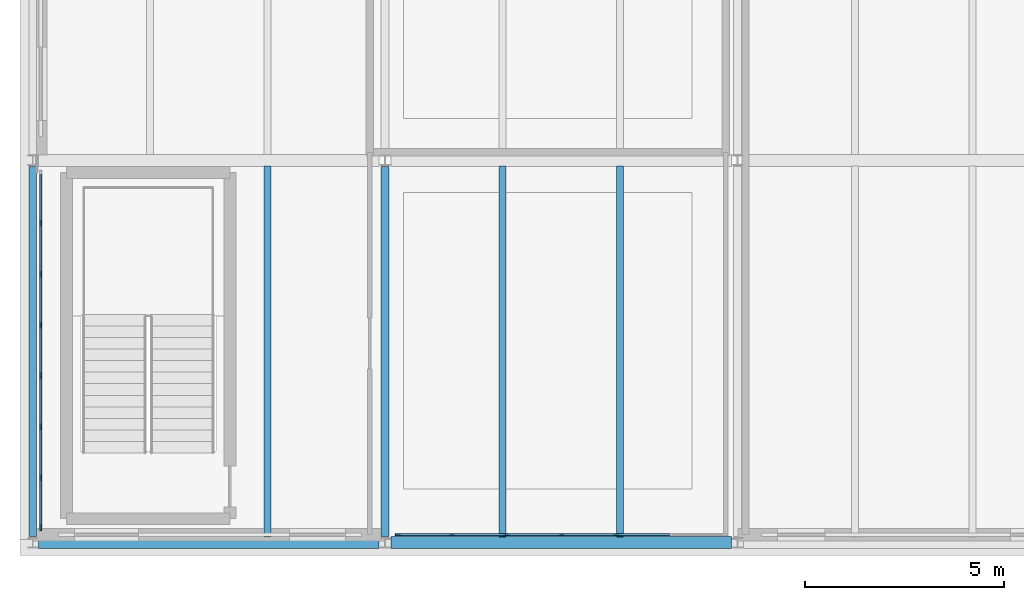
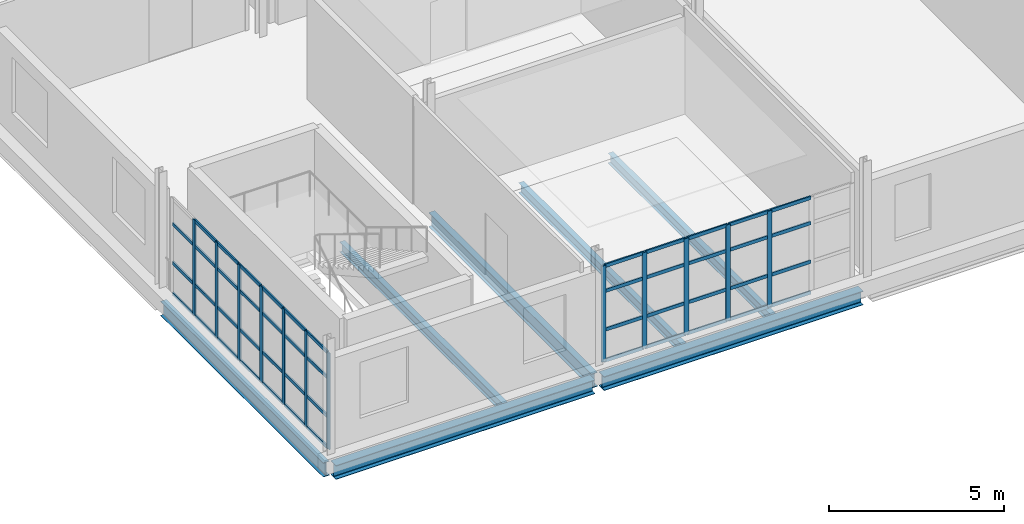
# One storey, part 5 of 28: 59 members, 7 beams, 2 elements without a shape of their own.
"""IFC4 building model written with IfcOpenShell, lengths in metres."""

from ifc_helpers import new_model, si_unit, direction, frame, origin, origin_2d, place, context, subcontext, project, spatial, rectangle, i_section, extrude, material, layer, layer_set, material_profile, profile_set, type_object, element, aggregate, save


model = new_model("IFC4")

# Units and contexts
model_context = context("Model", 3, precision=1e-05, world=origin(), true_north=direction((0.0, 1.0)))
body_context = subcontext(model_context, "Body", "Model", "MODEL_VIEW")
ifc_project = project(units=[si_unit("LENGTHUNIT", "METRE"), si_unit("AREAUNIT", "SQUARE_METRE"), si_unit("VOLUMEUNIT", "CUBIC_METRE"), si_unit("PLANEANGLEUNIT", "RADIAN"), si_unit("MASSUNIT", "GRAM", prefix="KILO")], contexts=[model_context])

# Site, building, storey
site_placement = place(None, origin())
site = spatial("IfcSite", under=ifc_project, at=site_placement, CompositionType="ELEMENT")
building_placement = place(site_placement, origin())
building = spatial("IfcBuilding", under=site, at=building_placement, Name="Yeouljin Market Hall", CompositionType="ELEMENT")
storey_placement = place(building_placement, frame((0.0, 0.0, 15.0)))
storey = spatial("IfcBuildingStorey", under=building, at=storey_placement, Name="L03", CompositionType="ELEMENT", Elevation=15.0)

# Beams
ifc_material_1 = material(Name="Steel SM355", Category="steel")
ifc_material_profile_1 = material_profile(ifc_material_1, i_section(OverallWidth=0.199951171875, OverallDepth=0.5, WebThickness=0.010009765625, FlangeThickness=0.01611328125, FilletRadius=0.02001953125, at=origin_2d()), Name="H-500x200x10x16")
ifc_profile_set_1 = profile_set([ifc_material_profile_1], Name="Steel SM355")
beam_type_1 = type_object("IfcBeamType", Name="Beam_H-500x200x10x16", PredefinedType="BEAM", material=ifc_profile_set_1)
for number, where, z_axis, x_axis, name in (
    (1, (0.0, 0.14990234375, -0.514892578125), (0.0, 1.0, 0.0), (-1.0, 0.0, 0.0), "Primary beam BM-L03-Y046"),
    (2, (8.85009765625, 0.14990234375, -0.514892578125), (0.0, 1.0, 0.0), (-1.0, 0.0, 0.0), "Primary beam BM-L03-Y050"),
):
    element("IfcBeam", number, at=place(storey_placement, frame(where, z_axis=z_axis, x_axis=x_axis)), inside=storey, type_object=beam_type_1, Name=name, PredefinedType="BEAM", context=body_context, shape_type="SweptSolid", body=[
        extrude(i_section(OverallWidth=0.199951171875, OverallDepth=0.5, WebThickness=0.010009765625, FlangeThickness=0.01611328125, FilletRadius=0.02001953125, at=origin_2d()), origin(), (0.0, 0.0, 1.0), 9.300048828125),
    ])

# Curtain wall, members
ifc_material_2 = material(Name="Thermally Broken Aluminium", Category="aluminium")
ifc_layer = layer(ifc_material_2, 0.14990234375)
ifc_layer_set = layer_set([ifc_layer], Name="Thermally Broken Aluminium")
curtain_wall_type = type_object("IfcCurtainWallType", Name="CW_AcademyRibbon_System", PredefinedType="USERDEFINED", material=ifc_layer_set)
curtain_wall_1_placement = place(storey_placement, origin())
curtain_wall_1 = element("IfcCurtainWall", 3, at=curtain_wall_1_placement, inside=storey, type_object=curtain_wall_type, Name="Curtain wall CW-L03-W02", ObjectType="CURTAIN WALL", PredefinedType="USERDEFINED")
ifc_material_3 = material(Name="Thermally Broken Aluminium", Category="aluminium")
ifc_material_profile_2 = material_profile(ifc_material_3, rectangle(XDim=0.048095703125, YDim=0.14990234375, at=origin_2d()), Name="CW-MULL-48x150")
ifc_profile_set_2 = profile_set([ifc_material_profile_2], Name="Thermally Broken Aluminium")
member_type_1 = type_object("IfcMemberType", Name="CWMullion_48x150", PredefinedType="MULLION", material=ifc_profile_set_2)
member_1_placement = place(storey_placement, frame((14.64990234375, 0.199951171875, 0.0), z_axis=(0.0, 0.0, 1.0), x_axis=(0.0, -1.0, 0.0)))
member_1 = element("IfcMember", 4, at=member_1_placement, type_object=member_type_1, Name="CW-05 mullion 3", PredefinedType="MULLION", context=body_context, shape_type="SweptSolid", body=[
    extrude(rectangle(XDim=0.048095703125, YDim=0.14990234375, at=origin_2d()), origin(), (0.0, 0.0, 1.0), 3.35009765625),
])
member_2_placement = place(storey_placement, frame((13.27490234375, 0.199951171875, 0.0), z_axis=(0.0, 0.0, 1.0), x_axis=(0.0, -1.0, 0.0)))
member_2 = element("IfcMember", 5, at=member_2_placement, type_object=member_type_1, Name="CW-05 mullion 4", PredefinedType="MULLION", context=body_context, shape_type="SweptSolid", body=[
    extrude(rectangle(XDim=0.048095703125, YDim=0.14990234375, at=origin_2d()), origin(), (0.0, 0.0, 1.0), 3.35009765625),
])
member_3_placement = place(storey_placement, frame((11.89990234375, 0.199951171875, 0.0), z_axis=(0.0, 0.0, 1.0), x_axis=(0.0, -1.0, 0.0)))
member_3 = element("IfcMember", 6, at=member_3_placement, type_object=member_type_1, Name="CW-05 mullion 5", PredefinedType="MULLION", context=body_context, shape_type="SweptSolid", body=[
    extrude(rectangle(XDim=0.048095703125, YDim=0.14990234375, at=origin_2d()), origin(), (0.0, 0.0, 1.0), 3.35009765625),
])
member_4_placement = place(storey_placement, frame((10.52490234375, 0.199951171875, 0.0), z_axis=(0.0, 0.0, 1.0), x_axis=(0.0, -1.0, 0.0)))
member_4 = element("IfcMember", 7, at=member_4_placement, type_object=member_type_1, Name="CW-05 mullion 6", PredefinedType="MULLION", context=body_context, shape_type="SweptSolid", body=[
    extrude(rectangle(XDim=0.048095703125, YDim=0.14990234375, at=origin_2d()), origin(), (0.0, 0.0, 1.0), 3.35009765625),
])
member_5_placement = place(storey_placement, frame((9.174072265625, 0.199951171875, 0.0), z_axis=(0.0, 0.0, 1.0), x_axis=(0.0, -1.0, 0.0)))
member_5 = element("IfcMember", 8, at=member_5_placement, type_object=member_type_1, Name="CW-05 mullion 7", PredefinedType="MULLION", context=body_context, shape_type="SweptSolid", body=[
    extrude(rectangle(XDim=0.048095703125, YDim=0.14990234375, at=origin_2d()), origin(), (0.0, 0.0, 1.0), 3.35009765625),
])

curtain_wall_2_placement = place(storey_placement, origin())
curtain_wall_2 = element("IfcCurtainWall", 9, at=curtain_wall_2_placement, inside=storey, type_object=curtain_wall_type, Name="Curtain wall CW-L03-W04", ObjectType="CURTAIN WALL", PredefinedType="USERDEFINED")
member_6_placement = place(storey_placement, frame((0.199951171875, 0.3740234375, 0.0), z_axis=(0.0, 0.0, 1.0), x_axis=(-1.0, 0.0, 0.0)))
member_6 = element("IfcMember", 10, at=member_6_placement, type_object=member_type_1, Name="CW-05 mullion 1", PredefinedType="MULLION", context=body_context, shape_type="SweptSolid", body=[
    extrude(rectangle(XDim=0.048095703125, YDim=0.14990234375, at=origin_2d()), origin(), (0.0, 0.0, 1.0), 3.35009765625),
])
member_7_placement = place(storey_placement, frame((0.199951171875, 1.628662109375, 0.0), z_axis=(0.0, 0.0, 1.0), x_axis=(-1.0, 0.0, 0.0)))
member_7 = element("IfcMember", 11, at=member_7_placement, type_object=member_type_1, Name="CW-05 mullion 2", PredefinedType="MULLION", context=body_context, shape_type="SweptSolid", body=[
    extrude(rectangle(XDim=0.048095703125, YDim=0.14990234375, at=origin_2d()), origin(), (0.0, 0.0, 1.0), 3.35009765625),
])
member_8_placement = place(storey_placement, frame((0.199951171875, 2.9072265625, 0.0), z_axis=(0.0, 0.0, 1.0), x_axis=(-1.0, 0.0, 0.0)))
member_8 = element("IfcMember", 12, at=member_8_placement, type_object=member_type_1, Name="CW-05 mullion 3", PredefinedType="MULLION", context=body_context, shape_type="SweptSolid", body=[
    extrude(rectangle(XDim=0.048095703125, YDim=0.14990234375, at=origin_2d()), origin(), (0.0, 0.0, 1.0), 3.35009765625),
])
member_9_placement = place(storey_placement, frame((0.199951171875, 4.185791015625, 0.0), z_axis=(0.0, 0.0, 1.0), x_axis=(-1.0, 0.0, 0.0)))
member_9 = element("IfcMember", 13, at=member_9_placement, type_object=member_type_1, Name="CW-05 mullion 4", PredefinedType="MULLION", context=body_context, shape_type="SweptSolid", body=[
    extrude(rectangle(XDim=0.048095703125, YDim=0.14990234375, at=origin_2d()), origin(), (0.0, 0.0, 1.0), 3.35009765625),
])
member_10_placement = place(storey_placement, frame((0.199951171875, 5.46435546875, 0.0), z_axis=(0.0, 0.0, 1.0), x_axis=(-1.0, 0.0, 0.0)))
member_10 = element("IfcMember", 14, at=member_10_placement, type_object=member_type_1, Name="CW-05 mullion 5", PredefinedType="MULLION", context=body_context, shape_type="SweptSolid", body=[
    extrude(rectangle(XDim=0.048095703125, YDim=0.14990234375, at=origin_2d()), origin(), (0.0, 0.0, 1.0), 3.35009765625),
])
member_11_placement = place(storey_placement, frame((0.199951171875, 6.742919921875, 0.0), z_axis=(0.0, 0.0, 1.0), x_axis=(-1.0, 0.0, 0.0)))
member_11 = element("IfcMember", 15, at=member_11_placement, type_object=member_type_1, Name="CW-05 mullion 6", PredefinedType="MULLION", context=body_context, shape_type="SweptSolid", body=[
    extrude(rectangle(XDim=0.048095703125, YDim=0.14990234375, at=origin_2d()), origin(), (0.0, 0.0, 1.0), 3.35009765625),
])
member_12_placement = place(storey_placement, frame((0.199951171875, 8.021484375, 0.0), z_axis=(0.0, 0.0, 1.0), x_axis=(-1.0, 0.0, 0.0)))
member_12 = element("IfcMember", 16, at=member_12_placement, type_object=member_type_1, Name="CW-05 mullion 7", PredefinedType="MULLION", context=body_context, shape_type="SweptSolid", body=[
    extrude(rectangle(XDim=0.048095703125, YDim=0.14990234375, at=origin_2d()), origin(), (0.0, 0.0, 1.0), 3.35009765625),
])

# Member
ifc_material_4 = material(Name="Thermally Broken Aluminium", Category="aluminium")
ifc_material_profile_3 = material_profile(ifc_material_4, rectangle(XDim=0.048095703125, YDim=0.1201171875, at=origin_2d()), Name="CW-TRAN-48x120")
ifc_profile_set_3 = profile_set([ifc_material_profile_3], Name="Thermally Broken Aluminium")
member_type_2 = type_object("IfcMemberType", Name="CWTransom_48x120", PredefinedType="USERDEFINED", material=ifc_profile_set_3)
member_13_placement = place(storey_placement, frame((16.0009765625, 0.199951171875, 0.02392578125), z_axis=(-1.0, 0.0, 0.0), x_axis=(0.0, -1.0, 0.0)))
member_13 = element("IfcMember", 17, at=member_13_placement, type_object=member_type_2, Name="CW-05 transom 2.1", ObjectType="TRANSOM", PredefinedType="USERDEFINED", context=body_context, shape_type="SweptSolid", body=[
    extrude(rectangle(XDim=0.048095703125, YDim=0.1201171875, at=origin_2d()), origin(), (0.0, 0.0, 1.0), 1.326904296875),
])

member_14_placement = place(storey_placement, frame((16.0009765625, 0.199951171875, 1.10009765625), z_axis=(-1.0, 0.0, 0.0), x_axis=(0.0, -1.0, 0.0)))
member_14 = element("IfcMember", 18, at=member_14_placement, type_object=member_type_2, Name="CW-05 transom 2.2", ObjectType="TRANSOM", PredefinedType="USERDEFINED", context=body_context, shape_type="SweptSolid", body=[
    extrude(rectangle(XDim=0.048095703125, YDim=0.1201171875, at=origin_2d()), origin(), (0.0, 0.0, 1.0), 1.326904296875),
])

member_15_placement = place(storey_placement, frame((16.0009765625, 0.199951171875, 2.449951171875), z_axis=(-1.0, 0.0, 0.0), x_axis=(0.0, -1.0, 0.0)))
member_15 = element("IfcMember", 19, at=member_15_placement, type_object=member_type_2, Name="CW-05 transom 2.3", ObjectType="TRANSOM", PredefinedType="USERDEFINED", context=body_context, shape_type="SweptSolid", body=[
    extrude(rectangle(XDim=0.048095703125, YDim=0.1201171875, at=origin_2d()), origin(), (0.0, 0.0, 1.0), 1.326904296875),
])

member_16_placement = place(storey_placement, frame((16.0009765625, 0.199951171875, 3.325927734375), z_axis=(-1.0, 0.0, 0.0), x_axis=(0.0, -1.0, 0.0)))
member_16 = element("IfcMember", 20, at=member_16_placement, type_object=member_type_2, Name="CW-05 transom 2.4", ObjectType="TRANSOM", PredefinedType="USERDEFINED", context=body_context, shape_type="SweptSolid", body=[
    extrude(rectangle(XDim=0.048095703125, YDim=0.1201171875, at=origin_2d()), origin(), (0.0, 0.0, 1.0), 1.326904296875),
])

member_17_placement = place(storey_placement, frame((14.6259765625, 0.199951171875, 0.02392578125), z_axis=(-1.0, 0.0, 0.0), x_axis=(0.0, -1.0, 0.0)))
member_17 = element("IfcMember", 21, at=member_17_placement, type_object=member_type_2, Name="CW-05 transom 3.1", ObjectType="TRANSOM", PredefinedType="USERDEFINED", context=body_context, shape_type="SweptSolid", body=[
    extrude(rectangle(XDim=0.048095703125, YDim=0.1201171875, at=origin_2d()), origin(), (0.0, 0.0, 1.0), 1.326904296875),
])

member_18_placement = place(storey_placement, frame((14.6259765625, 0.199951171875, 1.10009765625), z_axis=(-1.0, 0.0, 0.0), x_axis=(0.0, -1.0, 0.0)))
member_18 = element("IfcMember", 22, at=member_18_placement, type_object=member_type_2, Name="CW-05 transom 3.2", ObjectType="TRANSOM", PredefinedType="USERDEFINED", context=body_context, shape_type="SweptSolid", body=[
    extrude(rectangle(XDim=0.048095703125, YDim=0.1201171875, at=origin_2d()), origin(), (0.0, 0.0, 1.0), 1.326904296875),
])

member_19_placement = place(storey_placement, frame((14.6259765625, 0.199951171875, 2.449951171875), z_axis=(-1.0, 0.0, 0.0), x_axis=(0.0, -1.0, 0.0)))
member_19 = element("IfcMember", 23, at=member_19_placement, type_object=member_type_2, Name="CW-05 transom 3.3", ObjectType="TRANSOM", PredefinedType="USERDEFINED", context=body_context, shape_type="SweptSolid", body=[
    extrude(rectangle(XDim=0.048095703125, YDim=0.1201171875, at=origin_2d()), origin(), (0.0, 0.0, 1.0), 1.326904296875),
])

member_20_placement = place(storey_placement, frame((14.6259765625, 0.199951171875, 3.325927734375), z_axis=(-1.0, 0.0, 0.0), x_axis=(0.0, -1.0, 0.0)))
member_20 = element("IfcMember", 24, at=member_20_placement, type_object=member_type_2, Name="CW-05 transom 3.4", ObjectType="TRANSOM", PredefinedType="USERDEFINED", context=body_context, shape_type="SweptSolid", body=[
    extrude(rectangle(XDim=0.048095703125, YDim=0.1201171875, at=origin_2d()), origin(), (0.0, 0.0, 1.0), 1.326904296875),
])

member_21_placement = place(storey_placement, frame((13.2509765625, 0.199951171875, 0.02392578125), z_axis=(-1.0, 0.0, 0.0), x_axis=(0.0, -1.0, 0.0)))
member_21 = element("IfcMember", 25, at=member_21_placement, type_object=member_type_2, Name="CW-05 transom 4.1", ObjectType="TRANSOM", PredefinedType="USERDEFINED", context=body_context, shape_type="SweptSolid", body=[
    extrude(rectangle(XDim=0.048095703125, YDim=0.1201171875, at=origin_2d()), origin(), (0.0, 0.0, 1.0), 1.326904296875),
])

member_22_placement = place(storey_placement, frame((13.2509765625, 0.199951171875, 1.10009765625), z_axis=(-1.0, 0.0, 0.0), x_axis=(0.0, -1.0, 0.0)))
member_22 = element("IfcMember", 26, at=member_22_placement, type_object=member_type_2, Name="CW-05 transom 4.2", ObjectType="TRANSOM", PredefinedType="USERDEFINED", context=body_context, shape_type="SweptSolid", body=[
    extrude(rectangle(XDim=0.048095703125, YDim=0.1201171875, at=origin_2d()), origin(), (0.0, 0.0, 1.0), 1.326904296875),
])

member_23_placement = place(storey_placement, frame((13.2509765625, 0.199951171875, 2.449951171875), z_axis=(-1.0, 0.0, 0.0), x_axis=(0.0, -1.0, 0.0)))
member_23 = element("IfcMember", 27, at=member_23_placement, type_object=member_type_2, Name="CW-05 transom 4.3", ObjectType="TRANSOM", PredefinedType="USERDEFINED", context=body_context, shape_type="SweptSolid", body=[
    extrude(rectangle(XDim=0.048095703125, YDim=0.1201171875, at=origin_2d()), origin(), (0.0, 0.0, 1.0), 1.326904296875),
])

member_24_placement = place(storey_placement, frame((13.2509765625, 0.199951171875, 3.325927734375), z_axis=(-1.0, 0.0, 0.0), x_axis=(0.0, -1.0, 0.0)))
member_24 = element("IfcMember", 28, at=member_24_placement, type_object=member_type_2, Name="CW-05 transom 4.4", ObjectType="TRANSOM", PredefinedType="USERDEFINED", context=body_context, shape_type="SweptSolid", body=[
    extrude(rectangle(XDim=0.048095703125, YDim=0.1201171875, at=origin_2d()), origin(), (0.0, 0.0, 1.0), 1.326904296875),
])

member_25_placement = place(storey_placement, frame((11.8759765625, 0.199951171875, 0.02392578125), z_axis=(-1.0, 0.0, 0.0), x_axis=(0.0, -1.0, 0.0)))
member_25 = element("IfcMember", 29, at=member_25_placement, type_object=member_type_2, Name="CW-05 transom 5.1", ObjectType="TRANSOM", PredefinedType="USERDEFINED", context=body_context, shape_type="SweptSolid", body=[
    extrude(rectangle(XDim=0.048095703125, YDim=0.1201171875, at=origin_2d()), origin(), (0.0, 0.0, 1.0), 1.326904296875),
])

member_26_placement = place(storey_placement, frame((11.8759765625, 0.199951171875, 1.10009765625), z_axis=(-1.0, 0.0, 0.0), x_axis=(0.0, -1.0, 0.0)))
member_26 = element("IfcMember", 30, at=member_26_placement, type_object=member_type_2, Name="CW-05 transom 5.2", ObjectType="TRANSOM", PredefinedType="USERDEFINED", context=body_context, shape_type="SweptSolid", body=[
    extrude(rectangle(XDim=0.048095703125, YDim=0.1201171875, at=origin_2d()), origin(), (0.0, 0.0, 1.0), 1.326904296875),
])

member_27_placement = place(storey_placement, frame((11.8759765625, 0.199951171875, 2.449951171875), z_axis=(-1.0, 0.0, 0.0), x_axis=(0.0, -1.0, 0.0)))
member_27 = element("IfcMember", 31, at=member_27_placement, type_object=member_type_2, Name="CW-05 transom 5.3", ObjectType="TRANSOM", PredefinedType="USERDEFINED", context=body_context, shape_type="SweptSolid", body=[
    extrude(rectangle(XDim=0.048095703125, YDim=0.1201171875, at=origin_2d()), origin(), (0.0, 0.0, 1.0), 1.326904296875),
])

member_28_placement = place(storey_placement, frame((11.8759765625, 0.199951171875, 3.325927734375), z_axis=(-1.0, 0.0, 0.0), x_axis=(0.0, -1.0, 0.0)))
member_28 = element("IfcMember", 32, at=member_28_placement, type_object=member_type_2, Name="CW-05 transom 5.4", ObjectType="TRANSOM", PredefinedType="USERDEFINED", context=body_context, shape_type="SweptSolid", body=[
    extrude(rectangle(XDim=0.048095703125, YDim=0.1201171875, at=origin_2d()), origin(), (0.0, 0.0, 1.0), 1.326904296875),
])

member_29_placement = place(storey_placement, frame((10.5009765625, 0.199951171875, 0.02392578125), z_axis=(-1.0, 0.0, 0.0), x_axis=(0.0, -1.0, 0.0)))
member_29 = element("IfcMember", 33, at=member_29_placement, type_object=member_type_2, Name="CW-05 transom 6.1", ObjectType="TRANSOM", PredefinedType="USERDEFINED", context=body_context, shape_type="SweptSolid", body=[
    extrude(rectangle(XDim=0.048095703125, YDim=0.1201171875, at=origin_2d()), origin(), (0.0, 0.0, 1.0), 1.302978515625),
])

member_30_placement = place(storey_placement, frame((10.5009765625, 0.199951171875, 1.10009765625), z_axis=(-1.0, 0.0, 0.0), x_axis=(0.0, -1.0, 0.0)))
member_30 = element("IfcMember", 34, at=member_30_placement, type_object=member_type_2, Name="CW-05 transom 6.2", ObjectType="TRANSOM", PredefinedType="USERDEFINED", context=body_context, shape_type="SweptSolid", body=[
    extrude(rectangle(XDim=0.048095703125, YDim=0.1201171875, at=origin_2d()), origin(), (0.0, 0.0, 1.0), 1.302978515625),
])

member_31_placement = place(storey_placement, frame((10.5009765625, 0.199951171875, 2.449951171875), z_axis=(-1.0, 0.0, 0.0), x_axis=(0.0, -1.0, 0.0)))
member_31 = element("IfcMember", 35, at=member_31_placement, type_object=member_type_2, Name="CW-05 transom 6.3", ObjectType="TRANSOM", PredefinedType="USERDEFINED", context=body_context, shape_type="SweptSolid", body=[
    extrude(rectangle(XDim=0.048095703125, YDim=0.1201171875, at=origin_2d()), origin(), (0.0, 0.0, 1.0), 1.302978515625),
])

member_32_placement = place(storey_placement, frame((10.5009765625, 0.199951171875, 3.325927734375), z_axis=(-1.0, 0.0, 0.0), x_axis=(0.0, -1.0, 0.0)))
member_32 = element("IfcMember", 36, at=member_32_placement, type_object=member_type_2, Name="CW-05 transom 6.4", ObjectType="TRANSOM", PredefinedType="USERDEFINED", context=body_context, shape_type="SweptSolid", body=[
    extrude(rectangle(XDim=0.048095703125, YDim=0.1201171875, at=origin_2d()), origin(), (0.0, 0.0, 1.0), 1.302978515625),
])

aggregate(curtain_wall_1, [member_1, member_2, member_3, member_4, member_5, member_13, member_14, member_15, member_16, member_17, member_18, member_19, member_20, member_21, member_22, member_23, member_24, member_25, member_26, member_27, member_28, member_29, member_30, member_31, member_32])

member_33_placement = place(storey_placement, frame((0.199951171875, 0.39794921875, 0.02392578125), z_axis=(0.0, 1.0, 0.0), x_axis=(-1.0, 0.0, 0.0)))
member_33 = element("IfcMember", 37, at=member_33_placement, type_object=member_type_2, Name="CW-05 transom 1.1", ObjectType="TRANSOM", PredefinedType="USERDEFINED", context=body_context, shape_type="SweptSolid", body=[
    extrude(rectangle(XDim=0.048095703125, YDim=0.1201171875, at=origin_2d()), origin(), (0.0, 0.0, 1.0), 1.20654296875),
])

member_34_placement = place(storey_placement, frame((0.199951171875, 0.39794921875, 1.10009765625), z_axis=(0.0, 1.0, 0.0), x_axis=(-1.0, 0.0, 0.0)))
member_34 = element("IfcMember", 38, at=member_34_placement, type_object=member_type_2, Name="CW-05 transom 1.2", ObjectType="TRANSOM", PredefinedType="USERDEFINED", context=body_context, shape_type="SweptSolid", body=[
    extrude(rectangle(XDim=0.048095703125, YDim=0.1201171875, at=origin_2d()), origin(), (0.0, 0.0, 1.0), 1.20654296875),
])

member_35_placement = place(storey_placement, frame((0.199951171875, 0.39794921875, 2.449951171875), z_axis=(0.0, 1.0, 0.0), x_axis=(-1.0, 0.0, 0.0)))
member_35 = element("IfcMember", 39, at=member_35_placement, type_object=member_type_2, Name="CW-05 transom 1.3", ObjectType="TRANSOM", PredefinedType="USERDEFINED", context=body_context, shape_type="SweptSolid", body=[
    extrude(rectangle(XDim=0.048095703125, YDim=0.1201171875, at=origin_2d()), origin(), (0.0, 0.0, 1.0), 1.20654296875),
])

member_36_placement = place(storey_placement, frame((0.199951171875, 0.39794921875, 3.325927734375), z_axis=(0.0, 1.0, 0.0), x_axis=(-1.0, 0.0, 0.0)))
member_36 = element("IfcMember", 40, at=member_36_placement, type_object=member_type_2, Name="CW-05 transom 1.4", ObjectType="TRANSOM", PredefinedType="USERDEFINED", context=body_context, shape_type="SweptSolid", body=[
    extrude(rectangle(XDim=0.048095703125, YDim=0.1201171875, at=origin_2d()), origin(), (0.0, 0.0, 1.0), 1.20654296875),
])

member_37_placement = place(storey_placement, frame((0.199951171875, 1.652587890625, 0.02392578125), z_axis=(0.0, 1.0, 0.0), x_axis=(-1.0, 0.0, 0.0)))
member_37 = element("IfcMember", 41, at=member_37_placement, type_object=member_type_2, Name="CW-05 transom 2.1", ObjectType="TRANSOM", PredefinedType="USERDEFINED", context=body_context, shape_type="SweptSolid", body=[
    extrude(rectangle(XDim=0.048095703125, YDim=0.1201171875, at=origin_2d()), origin(), (0.0, 0.0, 1.0), 1.23046875),
])

member_38_placement = place(storey_placement, frame((0.199951171875, 1.652587890625, 1.10009765625), z_axis=(0.0, 1.0, 0.0), x_axis=(-1.0, 0.0, 0.0)))
member_38 = element("IfcMember", 42, at=member_38_placement, type_object=member_type_2, Name="CW-05 transom 2.2", ObjectType="TRANSOM", PredefinedType="USERDEFINED", context=body_context, shape_type="SweptSolid", body=[
    extrude(rectangle(XDim=0.048095703125, YDim=0.1201171875, at=origin_2d()), origin(), (0.0, 0.0, 1.0), 1.23046875),
])

member_39_placement = place(storey_placement, frame((0.199951171875, 1.652587890625, 2.449951171875), z_axis=(0.0, 1.0, 0.0), x_axis=(-1.0, 0.0, 0.0)))
member_39 = element("IfcMember", 43, at=member_39_placement, type_object=member_type_2, Name="CW-05 transom 2.3", ObjectType="TRANSOM", PredefinedType="USERDEFINED", context=body_context, shape_type="SweptSolid", body=[
    extrude(rectangle(XDim=0.048095703125, YDim=0.1201171875, at=origin_2d()), origin(), (0.0, 0.0, 1.0), 1.23046875),
])

member_40_placement = place(storey_placement, frame((0.199951171875, 1.652587890625, 3.325927734375), z_axis=(0.0, 1.0, 0.0), x_axis=(-1.0, 0.0, 0.0)))
member_40 = element("IfcMember", 44, at=member_40_placement, type_object=member_type_2, Name="CW-05 transom 2.4", ObjectType="TRANSOM", PredefinedType="USERDEFINED", context=body_context, shape_type="SweptSolid", body=[
    extrude(rectangle(XDim=0.048095703125, YDim=0.1201171875, at=origin_2d()), origin(), (0.0, 0.0, 1.0), 1.23046875),
])

member_41_placement = place(storey_placement, frame((0.199951171875, 2.93115234375, 0.02392578125), z_axis=(0.0, 1.0, 0.0), x_axis=(-1.0, 0.0, 0.0)))
member_41 = element("IfcMember", 45, at=member_41_placement, type_object=member_type_2, Name="CW-05 transom 3.1", ObjectType="TRANSOM", PredefinedType="USERDEFINED", context=body_context, shape_type="SweptSolid", body=[
    extrude(rectangle(XDim=0.048095703125, YDim=0.1201171875, at=origin_2d()), origin(), (0.0, 0.0, 1.0), 1.23046875),
])

member_42_placement = place(storey_placement, frame((0.199951171875, 2.93115234375, 1.10009765625), z_axis=(0.0, 1.0, 0.0), x_axis=(-1.0, 0.0, 0.0)))
member_42 = element("IfcMember", 46, at=member_42_placement, type_object=member_type_2, Name="CW-05 transom 3.2", ObjectType="TRANSOM", PredefinedType="USERDEFINED", context=body_context, shape_type="SweptSolid", body=[
    extrude(rectangle(XDim=0.048095703125, YDim=0.1201171875, at=origin_2d()), origin(), (0.0, 0.0, 1.0), 1.23046875),
])

member_43_placement = place(storey_placement, frame((0.199951171875, 2.93115234375, 2.449951171875), z_axis=(0.0, 1.0, 0.0), x_axis=(-1.0, 0.0, 0.0)))
member_43 = element("IfcMember", 47, at=member_43_placement, type_object=member_type_2, Name="CW-05 transom 3.3", ObjectType="TRANSOM", PredefinedType="USERDEFINED", context=body_context, shape_type="SweptSolid", body=[
    extrude(rectangle(XDim=0.048095703125, YDim=0.1201171875, at=origin_2d()), origin(), (0.0, 0.0, 1.0), 1.23046875),
])

member_44_placement = place(storey_placement, frame((0.199951171875, 2.93115234375, 3.325927734375), z_axis=(0.0, 1.0, 0.0), x_axis=(-1.0, 0.0, 0.0)))
member_44 = element("IfcMember", 48, at=member_44_placement, type_object=member_type_2, Name="CW-05 transom 3.4", ObjectType="TRANSOM", PredefinedType="USERDEFINED", context=body_context, shape_type="SweptSolid", body=[
    extrude(rectangle(XDim=0.048095703125, YDim=0.1201171875, at=origin_2d()), origin(), (0.0, 0.0, 1.0), 1.23046875),
])

member_45_placement = place(storey_placement, frame((0.199951171875, 4.209716796875, 0.02392578125), z_axis=(0.0, 1.0, 0.0), x_axis=(-1.0, 0.0, 0.0)))
member_45 = element("IfcMember", 49, at=member_45_placement, type_object=member_type_2, Name="CW-05 transom 4.1", ObjectType="TRANSOM", PredefinedType="USERDEFINED", context=body_context, shape_type="SweptSolid", body=[
    extrude(rectangle(XDim=0.048095703125, YDim=0.1201171875, at=origin_2d()), origin(), (0.0, 0.0, 1.0), 1.23046875),
])

member_46_placement = place(storey_placement, frame((0.199951171875, 4.209716796875, 1.10009765625), z_axis=(0.0, 1.0, 0.0), x_axis=(-1.0, 0.0, 0.0)))
member_46 = element("IfcMember", 50, at=member_46_placement, type_object=member_type_2, Name="CW-05 transom 4.2", ObjectType="TRANSOM", PredefinedType="USERDEFINED", context=body_context, shape_type="SweptSolid", body=[
    extrude(rectangle(XDim=0.048095703125, YDim=0.1201171875, at=origin_2d()), origin(), (0.0, 0.0, 1.0), 1.23046875),
])

member_47_placement = place(storey_placement, frame((0.199951171875, 4.209716796875, 2.449951171875), z_axis=(0.0, 1.0, 0.0), x_axis=(-1.0, 0.0, 0.0)))
member_47 = element("IfcMember", 51, at=member_47_placement, type_object=member_type_2, Name="CW-05 transom 4.3", ObjectType="TRANSOM", PredefinedType="USERDEFINED", context=body_context, shape_type="SweptSolid", body=[
    extrude(rectangle(XDim=0.048095703125, YDim=0.1201171875, at=origin_2d()), origin(), (0.0, 0.0, 1.0), 1.23046875),
])

member_48_placement = place(storey_placement, frame((0.199951171875, 4.209716796875, 3.325927734375), z_axis=(0.0, 1.0, 0.0), x_axis=(-1.0, 0.0, 0.0)))
member_48 = element("IfcMember", 52, at=member_48_placement, type_object=member_type_2, Name="CW-05 transom 4.4", ObjectType="TRANSOM", PredefinedType="USERDEFINED", context=body_context, shape_type="SweptSolid", body=[
    extrude(rectangle(XDim=0.048095703125, YDim=0.1201171875, at=origin_2d()), origin(), (0.0, 0.0, 1.0), 1.23046875),
])

member_49_placement = place(storey_placement, frame((0.199951171875, 5.48828125, 0.02392578125), z_axis=(0.0, 1.0, 0.0), x_axis=(-1.0, 0.0, 0.0)))
member_49 = element("IfcMember", 53, at=member_49_placement, type_object=member_type_2, Name="CW-05 transom 5.1", ObjectType="TRANSOM", PredefinedType="USERDEFINED", context=body_context, shape_type="SweptSolid", body=[
    extrude(rectangle(XDim=0.048095703125, YDim=0.1201171875, at=origin_2d()), origin(), (0.0, 0.0, 1.0), 1.23046875),
])

member_50_placement = place(storey_placement, frame((0.199951171875, 5.48828125, 1.10009765625), z_axis=(0.0, 1.0, 0.0), x_axis=(-1.0, 0.0, 0.0)))
member_50 = element("IfcMember", 54, at=member_50_placement, type_object=member_type_2, Name="CW-05 transom 5.2", ObjectType="TRANSOM", PredefinedType="USERDEFINED", context=body_context, shape_type="SweptSolid", body=[
    extrude(rectangle(XDim=0.048095703125, YDim=0.1201171875, at=origin_2d()), origin(), (0.0, 0.0, 1.0), 1.23046875),
])

member_51_placement = place(storey_placement, frame((0.199951171875, 5.48828125, 2.449951171875), z_axis=(0.0, 1.0, 0.0), x_axis=(-1.0, 0.0, 0.0)))
member_51 = element("IfcMember", 55, at=member_51_placement, type_object=member_type_2, Name="CW-05 transom 5.3", ObjectType="TRANSOM", PredefinedType="USERDEFINED", context=body_context, shape_type="SweptSolid", body=[
    extrude(rectangle(XDim=0.048095703125, YDim=0.1201171875, at=origin_2d()), origin(), (0.0, 0.0, 1.0), 1.23046875),
])

member_52_placement = place(storey_placement, frame((0.199951171875, 5.48828125, 3.325927734375), z_axis=(0.0, 1.0, 0.0), x_axis=(-1.0, 0.0, 0.0)))
member_52 = element("IfcMember", 56, at=member_52_placement, type_object=member_type_2, Name="CW-05 transom 5.4", ObjectType="TRANSOM", PredefinedType="USERDEFINED", context=body_context, shape_type="SweptSolid", body=[
    extrude(rectangle(XDim=0.048095703125, YDim=0.1201171875, at=origin_2d()), origin(), (0.0, 0.0, 1.0), 1.23046875),
])

member_53_placement = place(storey_placement, frame((0.199951171875, 6.766845703125, 0.02392578125), z_axis=(0.0, 1.0, 0.0), x_axis=(-1.0, 0.0, 0.0)))
member_53 = element("IfcMember", 57, at=member_53_placement, type_object=member_type_2, Name="CW-05 transom 6.1", ObjectType="TRANSOM", PredefinedType="USERDEFINED", context=body_context, shape_type="SweptSolid", body=[
    extrude(rectangle(XDim=0.048095703125, YDim=0.1201171875, at=origin_2d()), origin(), (0.0, 0.0, 1.0), 1.23046875),
])

member_54_placement = place(storey_placement, frame((0.199951171875, 6.766845703125, 1.10009765625), z_axis=(0.0, 1.0, 0.0), x_axis=(-1.0, 0.0, 0.0)))
member_54 = element("IfcMember", 58, at=member_54_placement, type_object=member_type_2, Name="CW-05 transom 6.2", ObjectType="TRANSOM", PredefinedType="USERDEFINED", context=body_context, shape_type="SweptSolid", body=[
    extrude(rectangle(XDim=0.048095703125, YDim=0.1201171875, at=origin_2d()), origin(), (0.0, 0.0, 1.0), 1.23046875),
])

member_55_placement = place(storey_placement, frame((0.199951171875, 6.766845703125, 2.449951171875), z_axis=(0.0, 1.0, 0.0), x_axis=(-1.0, 0.0, 0.0)))
member_55 = element("IfcMember", 59, at=member_55_placement, type_object=member_type_2, Name="CW-05 transom 6.3", ObjectType="TRANSOM", PredefinedType="USERDEFINED", context=body_context, shape_type="SweptSolid", body=[
    extrude(rectangle(XDim=0.048095703125, YDim=0.1201171875, at=origin_2d()), origin(), (0.0, 0.0, 1.0), 1.23046875),
])

member_56_placement = place(storey_placement, frame((0.199951171875, 6.766845703125, 3.325927734375), z_axis=(0.0, 1.0, 0.0), x_axis=(-1.0, 0.0, 0.0)))
member_56 = element("IfcMember", 60, at=member_56_placement, type_object=member_type_2, Name="CW-05 transom 6.4", ObjectType="TRANSOM", PredefinedType="USERDEFINED", context=body_context, shape_type="SweptSolid", body=[
    extrude(rectangle(XDim=0.048095703125, YDim=0.1201171875, at=origin_2d()), origin(), (0.0, 0.0, 1.0), 1.23046875),
])

member_57_placement = place(storey_placement, frame((0.199951171875, 8.04541015625, 0.02392578125), z_axis=(0.0, 1.0, 0.0), x_axis=(-1.0, 0.0, 0.0)))
member_57 = element("IfcMember", 61, at=member_57_placement, type_object=member_type_2, Name="CW-05 transom 7.1", ObjectType="TRANSOM", PredefinedType="USERDEFINED", context=body_context, shape_type="SweptSolid", body=[
    extrude(rectangle(XDim=0.048095703125, YDim=0.1201171875, at=origin_2d()), origin(), (0.0, 0.0, 1.0), 1.20654296875),
])

member_58_placement = place(storey_placement, frame((0.199951171875, 8.04541015625, 1.10009765625), z_axis=(0.0, 1.0, 0.0), x_axis=(-1.0, 0.0, 0.0)))
member_58 = element("IfcMember", 62, at=member_58_placement, type_object=member_type_2, Name="CW-05 transom 7.2", ObjectType="TRANSOM", PredefinedType="USERDEFINED", context=body_context, shape_type="SweptSolid", body=[
    extrude(rectangle(XDim=0.048095703125, YDim=0.1201171875, at=origin_2d()), origin(), (0.0, 0.0, 1.0), 1.20654296875),
])

member_59_placement = place(storey_placement, frame((0.199951171875, 8.04541015625, 2.449951171875), z_axis=(0.0, 1.0, 0.0), x_axis=(-1.0, 0.0, 0.0)))
member_59 = element("IfcMember", 63, at=member_59_placement, type_object=member_type_2, Name="CW-05 transom 7.3", ObjectType="TRANSOM", PredefinedType="USERDEFINED", context=body_context, shape_type="SweptSolid", body=[
    extrude(rectangle(XDim=0.048095703125, YDim=0.1201171875, at=origin_2d()), origin(), (0.0, 0.0, 1.0), 1.20654296875),
])

aggregate(curtain_wall_2, [member_6, member_7, member_8, member_9, member_10, member_11, member_12, member_33, member_34, member_35, member_36, member_37, member_38, member_39, member_40, member_41, member_42, member_43, member_44, member_45, member_46, member_47, member_48, member_49, member_50, member_51, member_52, member_53, member_54, member_55, member_56, member_57, member_58, member_59])

# Beams
ifc_material_5 = material(Name="Steel SM355", Category="steel")
ifc_material_profile_4 = material_profile(ifc_material_5, i_section(OverallWidth=0.300048828125, OverallDepth=0.488037109375, WebThickness=0.010986328125, FlangeThickness=0.01806640625, FilletRadius=0.02197265625, at=origin_2d()), Name="H-488x300x11x18")
ifc_profile_set_4 = profile_set([ifc_material_profile_4], Name="Steel SM355")
beam_type_2 = type_object("IfcBeamType", Name="Girder_H-488x300x11x18", PredefinedType="USERDEFINED", material=ifc_profile_set_4)
for number, where, z_axis, x_axis, name in (
    (64, (0.14990234375, 0.0, -0.509033203125), (1.0, 0.0, 0.0), (0.0, 1.0, 0.0), "Primary girder GRD-L03-X001"),
    (65, (9.0, 0.0, -0.509033203125), (1.0, 0.0, 0.0), (0.0, 1.0, 0.0), "Primary girder GRD-L03-X002"),
):
    element("IfcBeam", number, at=place(storey_placement, frame(where, z_axis=z_axis, x_axis=x_axis)), inside=storey, type_object=beam_type_2, Name=name, ObjectType="GIRDER", PredefinedType="USERDEFINED", context=body_context, shape_type="SweptSolid", body=[
        extrude(i_section(OverallWidth=0.300048828125, OverallDepth=0.488037109375, WebThickness=0.010986328125, FlangeThickness=0.01806640625, FilletRadius=0.02197265625, at=origin_2d()), origin(), (0.0, 0.0, 1.0), 8.550048828125),
    ])
ifc_material_6 = material(Name="Steel SM355", Category="steel")
ifc_material_profile_5 = material_profile(ifc_material_6, i_section(OverallWidth=0.175048828125, OverallDepth=0.35009765625, WebThickness=0.007080078125, FlangeThickness=0.010986328125, FilletRadius=0.013916015625, at=origin_2d()), Name="H-350x175x7x11")
ifc_profile_set_5 = profile_set([ifc_material_profile_5], Name="Steel SM355")
beam_type_3 = type_object("IfcBeamType", Name="Joist_H-350x175x7x11", PredefinedType="JOIST", material=ifc_profile_set_5)
for number, where, z_axis, x_axis, name in (
    (66, (5.89990234375, 0.14697265625, -0.43994140625), (0.0, 1.0, 0.0), (-1.0, 0.0, 0.0), "Secondary floor joist L03-001"),
    (67, (11.800048828125, 0.14697265625, -0.43994140625), (0.0, 1.0, 0.0), (-1.0, 0.0, 0.0), "Secondary floor joist L03-008"),
    (68, (14.75, 0.14697265625, -0.43994140625), (0.0, 1.0, 0.0), (-1.0, 0.0, 0.0), "Secondary floor joist L03-009"),
):
    element("IfcBeam", number, at=place(storey_placement, frame(where, z_axis=z_axis, x_axis=x_axis)), inside=storey, type_object=beam_type_3, Name=name, PredefinedType="JOIST", context=body_context, shape_type="SweptSolid", body=[
        extrude(i_section(OverallWidth=0.175048828125, OverallDepth=0.35009765625, WebThickness=0.007080078125, FlangeThickness=0.010986328125, FilletRadius=0.013916015625, at=origin_2d()), origin(), (0.0, 0.0, 1.0), 9.305908203125),
    ])

save(model, "model.ifc")
